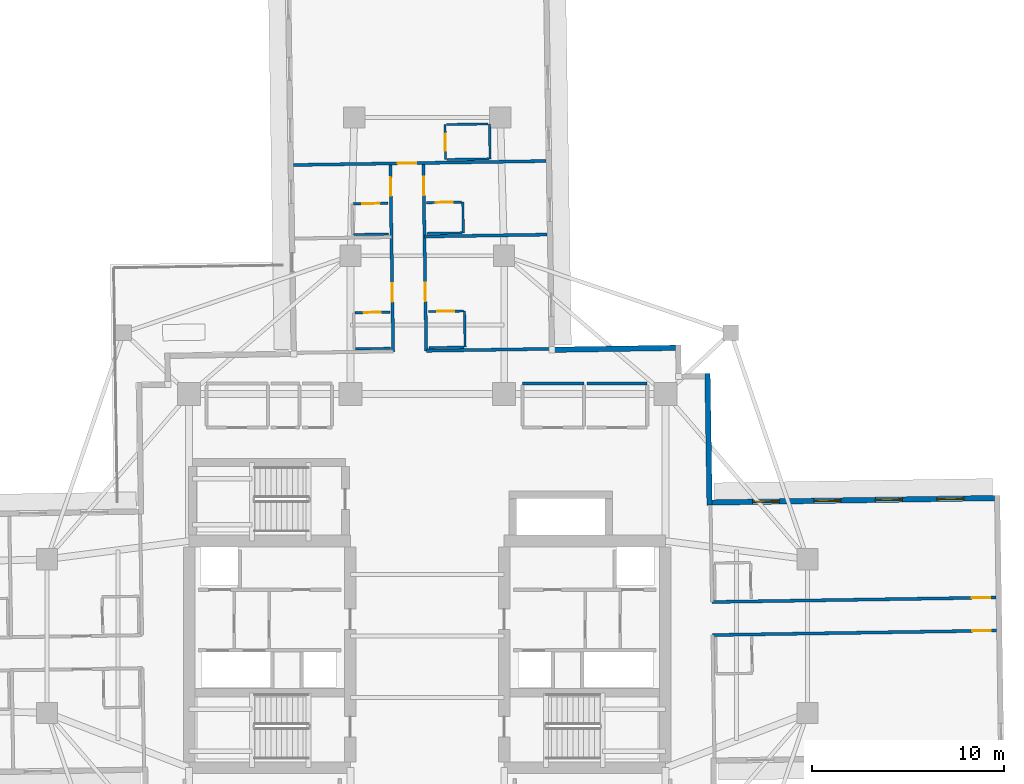
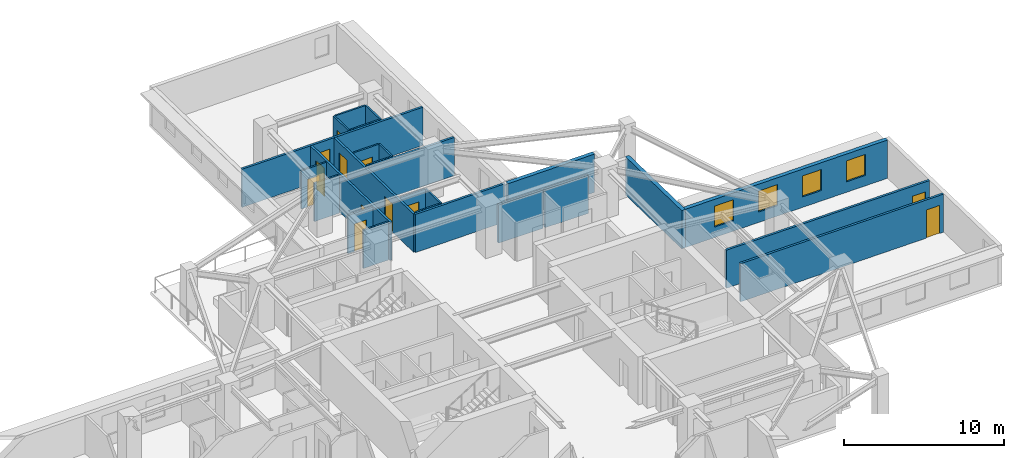
# One storey, part 7 of 13: 26 walls, 12 doors, 4 windows, 16 openings.
"""IFC4 building model written with IfcOpenShell, lengths in metres."""

from ifc_helpers import new_model, si_unit, direction, frame, frame_2d, origin, place, context, subcontext, project, spatial, rectangle, extrude, material, layer, layer_set, type_object, element, fill, save


model = new_model("IFC4")

# Units and contexts
model_context = context("Model", 3, precision=1e-05, world=origin(), true_north=direction((0.0, 1.0)))
body_context = subcontext(model_context, "Body", "Model", "MODEL_VIEW")
ifc_project = project(units=[si_unit("LENGTHUNIT", "METRE"), si_unit("AREAUNIT", "SQUARE_METRE"), si_unit("VOLUMEUNIT", "CUBIC_METRE"), si_unit("PLANEANGLEUNIT", "RADIAN"), si_unit("MASSUNIT", "GRAM", prefix="KILO")], contexts=[model_context])

# Site, building, storey
site_placement = place(None, origin())
site = spatial("IfcSite", under=ifc_project, at=site_placement, CompositionType="ELEMENT")
building_placement = place(site_placement, origin())
building = spatial("IfcBuilding", under=site, at=building_placement, Name="Qingluan Cross Belvedere", CompositionType="ELEMENT")
storey_placement = place(building_placement, frame((0.0, 0.0, 139.800048828125)))
storey = spatial("IfcBuildingStorey", under=building, at=storey_placement, Name="L35", CompositionType="ELEMENT", Elevation=139.800048828125)

# Walls
ifc_material_1 = material(Name="Gypsum plasterboard on steel stud acoustic partition", Category="steel")
ifc_layer_1 = layer(ifc_material_1, 0.159912109375, Name="CorridorPartition_160")
ifc_layer_set_1 = layer_set([ifc_layer_1], Name="Gypsum plasterboard on steel stud acoustic partition")
wall_type_1 = type_object("IfcWallType", Name="CorridorPartition_160", PredefinedType="PARTITIONING", material=ifc_layer_set_1)
wall_1_placement = place(storey_placement, frame((4.949951171875, 13.14990234375, 0.0), z_axis=(0.0, 0.0, 1.0), x_axis=(1.0, 0.0, 0.0)))
element("IfcWall", 1, at=wall_1_placement, inside=storey, type_object=wall_type_1, Name="Partition L35:q_ne1:N", PredefinedType="PARTITIONING", context=body_context, shape_type="SweptSolid", body=[
    extrude(rectangle(XDim=3.199951171875, YDim=0.159912109375, at=frame_2d((1.60009765625, 0.0))), origin(), (0.0, 0.0, 1.0), 2.909912109375),
])
wall_2_placement = place(storey_placement, frame((8.31005859375, 13.14990234375, 0.0), z_axis=(0.0, 0.0, 1.0), x_axis=(1.0, 0.0, 0.0)))
element("IfcWall", 2, at=wall_2_placement, inside=storey, type_object=wall_type_1, Name="Partition L35:q_ne2:N", PredefinedType="PARTITIONING", context=body_context, shape_type="SweptSolid", body=[
    extrude(rectangle(XDim=3.139892578125, YDim=0.159912109375, at=frame_2d((1.56982421875, 0.0))), origin(), (0.0, 0.0, 1.0), 2.909912109375),
])

# Wall, opening, door
wall_3_placement = place(storey_placement, frame((14.823974609375, 1.773193359375, 0.0), z_axis=(0.0, 0.0, 1.0), x_axis=(0.999876642421, 0.015706684621, 0.0)))
wall_3 = element("IfcWall", 3, at=wall_3_placement, inside=storey, type_object=wall_type_1, Name="Partition L35:E:c0", PredefinedType="PARTITIONING", context=body_context, shape_type="SweptSolid", body=[
    extrude(rectangle(XDim=14.781982421875, YDim=0.159912109375, at=frame_2d((7.39111328125, 0.0))), origin(), (0.0, 0.0, 1.0), 2.909912109375),
])
opening_1_placement = place(wall_3_placement, frame((13.530029296875, 0.0, 0.0)))
opening_1 = element("IfcOpeningElement", 4, at=opening_1_placement, cuts=wall_3, Name="Opening GD-10", PredefinedType="OPENING", context=body_context, shape_type="SweptSolid", body=[
    extrude(rectangle(XDim=0.9599609375, YDim=2.14990234375, at=frame_2d((0.47998046875, 1.074951171875))), frame((0.0, 0.08984375, 0.0), z_axis=(0.0, -1.0, 0.0), x_axis=(1.0, 0.0, 0.0)), (0.0, 0.0, 1.0), 0.179931640625),
])
ifc_material_2 = material(Name="Timber oak fire-rated acoustic guestroom door", Category="wood")
door_type_1 = type_object("IfcDoorType", Name="GuestEntryDoor_FD60", OperationType="NOTDEFINED", PredefinedType="DOOR", material=ifc_material_2)
door_1_placement = place(opening_1_placement, origin())
door_1 = element("IfcDoor", 5, at=door_1_placement, inside=storey, type_object=door_type_1, Name="Guest entry fire door 3501", OperationType="SINGLE_SWING_RIGHT", OverallHeight=2.14990234375, OverallWidth=0.9599609375, PredefinedType="DOOR", context=body_context, shape_type="SweptSolid", body=[
    extrude(rectangle(XDim=0.9599609375, YDim=2.14990234375, at=frame_2d((0.47998046875, 1.074951171875))), frame((0.0, 0.02490234375, 0.0), z_axis=(0.0, -1.0, 0.0), x_axis=(1.0, 0.0, 0.0)), (0.0, 0.0, 1.0), 0.050048828125),
])
fill(opening_1, door_1)

wall_4_placement = place(storey_placement, frame((14.85107421875, 0.05322265625, 0.0), z_axis=(0.0, 0.0, 1.0), x_axis=(0.999876638346, 0.015706944004, 0.0)))
wall_4 = element("IfcWall", 6, at=wall_4_placement, inside=storey, type_object=wall_type_1, Name="Partition L35:E:c1", PredefinedType="PARTITIONING", context=body_context, shape_type="SweptSolid", body=[
    extrude(rectangle(XDim=14.78173828125, YDim=0.159912109375, at=frame_2d((7.390869140625, 0.0))), origin(), (0.0, 0.0, 1.0), 2.909912109375),
])
opening_2_placement = place(wall_4_placement, frame((13.530029296875, 0.0, 0.0)))
opening_2 = element("IfcOpeningElement", 7, at=opening_2_placement, cuts=wall_4, Name="Opening GD-10", PredefinedType="OPENING", context=body_context, shape_type="SweptSolid", body=[
    extrude(rectangle(XDim=0.9599609375, YDim=2.14990234375, at=frame_2d((0.47998046875, 1.074951171875))), frame((0.0, 0.08984375, 0.0), z_axis=(0.0, -1.0, 0.0), x_axis=(1.0, 0.0, 0.0)), (0.0, 0.0, 1.0), 0.179931640625),
])
door_2_placement = place(opening_2_placement, origin())
door_2 = element("IfcDoor", 8, at=door_2_placement, inside=storey, type_object=door_type_1, Name="Guest entry fire door 3502", OperationType="SINGLE_SWING_RIGHT", OverallHeight=2.14990234375, OverallWidth=0.9599609375, PredefinedType="DOOR", context=body_context, shape_type="SweptSolid", body=[
    extrude(rectangle(XDim=0.9599609375, YDim=2.14990234375, at=frame_2d((0.47998046875, 1.074951171875))), frame((0.0, 0.02490234375, 0.0), z_axis=(0.0, -1.0, 0.0), x_axis=(1.0, 0.0, 0.0)), (0.0, 0.0, 1.0), 0.050048828125),
])
fill(opening_2, door_2)

# Wall, openings, doors
wall_5_placement = place(storey_placement, frame((-0.05322265625, 14.85107421875, 0.0), z_axis=(0.0, 0.0, 1.0), x_axis=(-0.015705659641, 0.999876658521, 0.0)))
wall_5 = element("IfcWall", 9, at=wall_5_placement, inside=storey, type_object=wall_type_1, Name="Partition L35:N:c0", PredefinedType="PARTITIONING", context=body_context, shape_type="SweptSolid", body=[
    extrude(rectangle(XDim=9.699951171875, YDim=0.159912109375, at=frame_2d((4.85009765625, 0.0))), origin(), (0.0, 0.0, 1.0), 2.909912109375),
])
opening_3_placement = place(wall_5_placement, frame((2.574951171875, 0.0, 0.0)))
opening_3 = element("IfcOpeningElement", 10, at=opening_3_placement, cuts=wall_5, Name="Opening GD-10", PredefinedType="OPENING", context=body_context, shape_type="SweptSolid", body=[
    extrude(rectangle(XDim=0.9599609375, YDim=2.14990234375, at=frame_2d((0.47998046875, 1.074951171875))), frame((0.0, 0.08984375, 0.0), z_axis=(0.0, -1.0, 0.0), x_axis=(1.0, 0.0, 0.0)), (0.0, 0.0, 1.0), 0.179931640625),
])
opening_4_placement = place(wall_5_placement, frame((8.096923828125, 0.0, 0.0)))
opening_4 = element("IfcOpeningElement", 11, at=opening_4_placement, cuts=wall_5, Name="Opening GD-10", PredefinedType="OPENING", context=body_context, shape_type="SweptSolid", body=[
    extrude(rectangle(XDim=0.9599609375, YDim=2.14990234375, at=frame_2d((0.47998046875, 1.074951171875))), frame((0.0, 0.08984375, 0.0), z_axis=(0.0, -1.0, 0.0), x_axis=(1.0, 0.0, 0.0)), (0.0, 0.0, 1.0), 0.179931640625),
])
door_3_placement = place(opening_3_placement, origin())
door_3 = element("IfcDoor", 12, at=door_3_placement, inside=storey, type_object=door_type_1, Name="Guest entry fire door 3509", OperationType="SINGLE_SWING_RIGHT", OverallHeight=2.14990234375, OverallWidth=0.9599609375, PredefinedType="DOOR", context=body_context, shape_type="SweptSolid", body=[
    extrude(rectangle(XDim=0.9599609375, YDim=2.14990234375, at=frame_2d((0.47998046875, 1.074951171875))), frame((0.0, 0.02490234375, 0.0), z_axis=(0.0, -1.0, 0.0), x_axis=(1.0, 0.0, 0.0)), (0.0, 0.0, 1.0), 0.050048828125),
])
fill(opening_3, door_3)
door_4_placement = place(opening_4_placement, origin())
door_4 = element("IfcDoor", 13, at=door_4_placement, inside=storey, type_object=door_type_1, Name="Guest entry fire door 3510", OperationType="SINGLE_SWING_RIGHT", OverallHeight=2.14990234375, OverallWidth=0.9599609375, PredefinedType="DOOR", context=body_context, shape_type="SweptSolid", body=[
    extrude(rectangle(XDim=0.9599609375, YDim=2.14990234375, at=frame_2d((0.47998046875, 1.074951171875))), frame((0.0, 0.02490234375, 0.0), z_axis=(0.0, -1.0, 0.0), x_axis=(1.0, 0.0, 0.0)), (0.0, 0.0, 1.0), 0.050048828125),
])
fill(opening_4, door_4)

# Walls
wall_6_placement = place(storey_placement, frame((-0.05322265625, 14.85107421875, 0.0), z_axis=(0.0, 0.0, 1.0), x_axis=(0.999877075733, 0.015679076008, 0.0)))
element("IfcWall", 14, at=wall_6_placement, inside=storey, type_object=wall_type_1, Name="Partition L35:N:s0", PredefinedType="PARTITIONING", context=body_context, shape_type="SweptSolid", body=[
    extrude(rectangle(XDim=6.539794921875, YDim=0.159912109375, at=frame_2d((3.27001953125, 0.0))), origin(), (0.0, 0.0, 1.0), 2.909912109375),
])
wall_7_placement = place(storey_placement, frame((-0.146728515625, 20.80029296875, 0.0), z_axis=(0.0, 0.0, 1.0), x_axis=(0.999876774542, 0.015698271615, 0.0)))
element("IfcWall", 15, at=wall_7_placement, inside=storey, type_object=wall_type_1, Name="Partition L35:N:d0_0", PredefinedType="PARTITIONING", context=body_context, shape_type="SweptSolid", body=[
    extrude(rectangle(XDim=6.391845703125, YDim=0.159912109375, at=frame_2d((3.19580078125, 0.0))), origin(), (0.0, 0.0, 1.0), 2.909912109375),
])

# Wall, openings, doors
wall_8_placement = place(storey_placement, frame((-1.773193359375, 14.823974609375, 0.0), z_axis=(0.0, 0.0, 1.0), x_axis=(-0.015680496509, 0.999877053457, 0.0)))
wall_8 = element("IfcWall", 16, at=wall_8_placement, inside=storey, type_object=wall_type_1, Name="Partition L35:N:c1", PredefinedType="PARTITIONING", context=body_context, shape_type="SweptSolid", body=[
    extrude(rectangle(XDim=9.699951171875, YDim=0.159912109375, at=frame_2d((4.85009765625, 0.0))), origin(), (0.0, 0.0, 1.0), 2.909912109375),
])
opening_5_placement = place(wall_8_placement, frame((2.574951171875, 0.0, 0.0)))
opening_5 = element("IfcOpeningElement", 17, at=opening_5_placement, cuts=wall_8, Name="Opening GD-10", PredefinedType="OPENING", context=body_context, shape_type="SweptSolid", body=[
    extrude(rectangle(XDim=0.9599609375, YDim=2.14990234375, at=frame_2d((0.47998046875, 1.074951171875))), frame((0.0, 0.08984375, 0.0), z_axis=(0.0, -1.0, 0.0), x_axis=(1.0, 0.0, 0.0)), (0.0, 0.0, 1.0), 0.179931640625),
])
opening_6_placement = place(wall_8_placement, frame((8.096923828125, 0.0, 0.0)))
opening_6 = element("IfcOpeningElement", 18, at=opening_6_placement, cuts=wall_8, Name="Opening GD-10", PredefinedType="OPENING", context=body_context, shape_type="SweptSolid", body=[
    extrude(rectangle(XDim=0.9599609375, YDim=2.14990234375, at=frame_2d((0.47998046875, 1.074951171875))), frame((0.0, 0.08984375, 0.0), z_axis=(0.0, -1.0, 0.0), x_axis=(1.0, 0.0, 0.0)), (0.0, 0.0, 1.0), 0.179931640625),
])
door_5_placement = place(opening_5_placement, origin())
door_5 = element("IfcDoor", 19, at=door_5_placement, inside=storey, type_object=door_type_1, Name="Guest entry fire door 3511", OperationType="SINGLE_SWING_RIGHT", OverallHeight=2.14990234375, OverallWidth=0.9599609375, PredefinedType="DOOR", context=body_context, shape_type="SweptSolid", body=[
    extrude(rectangle(XDim=0.9599609375, YDim=2.14990234375, at=frame_2d((0.47998046875, 1.074951171875))), frame((0.0, 0.02490234375, 0.0), z_axis=(0.0, -1.0, 0.0), x_axis=(1.0, 0.0, 0.0)), (0.0, 0.0, 1.0), 0.050048828125),
])
fill(opening_5, door_5)
door_6_placement = place(opening_6_placement, origin())
door_6 = element("IfcDoor", 20, at=door_6_placement, inside=storey, type_object=door_type_1, Name="Guest entry fire door 3512", OperationType="SINGLE_SWING_RIGHT", OverallHeight=2.14990234375, OverallWidth=0.9599609375, PredefinedType="DOOR", context=body_context, shape_type="SweptSolid", body=[
    extrude(rectangle(XDim=0.9599609375, YDim=2.14990234375, at=frame_2d((0.47998046875, 1.074951171875))), frame((0.0, 0.02490234375, 0.0), z_axis=(0.0, -1.0, 0.0), x_axis=(1.0, 0.0, 0.0)), (0.0, 0.0, 1.0), 0.050048828125),
])
fill(opening_6, door_6)

# Wall, opening, door
wall_9_placement = place(storey_placement, frame((-6.9580078125, 24.523681640625, 0.0), z_axis=(0.0, 0.0, 1.0), x_axis=(0.999876528878, 0.015713911007, 0.0)))
wall_9 = element("IfcWall", 21, at=wall_9_placement, inside=storey, type_object=wall_type_1, Name="Partition L35:Ncap:in", PredefinedType="PARTITIONING", context=body_context, shape_type="SweptSolid", body=[
    extrude(rectangle(XDim=13.14404296875, YDim=0.159912109375, at=frame_2d((6.572021484375, 0.0))), origin(), (0.0, 0.0, 1.0), 2.909912109375),
])
opening_7_placement = place(wall_9_placement, frame((5.412109375, 0.0, 0.0)))
opening_7 = element("IfcOpeningElement", 22, at=opening_7_placement, cuts=wall_9, Name="Opening GD-10", PredefinedType="OPENING", context=body_context, shape_type="SweptSolid", body=[
    extrude(rectangle(XDim=0.9599609375, YDim=2.14990234375, at=frame_2d((0.47998046875, 1.074951171875))), frame((0.0, 0.08984375, 0.0), z_axis=(0.0, -1.0, 0.0), x_axis=(1.0, 0.0, 0.0)), (0.0, 0.0, 1.0), 0.179931640625),
])
door_7_placement = place(opening_7_placement, origin())
door_7 = element("IfcDoor", 23, at=door_7_placement, inside=storey, type_object=door_type_1, Name="Presidential suite entrance door L35N", OperationType="SINGLE_SWING_LEFT", OverallHeight=2.14990234375, OverallWidth=0.9599609375, PredefinedType="DOOR", context=body_context, shape_type="SweptSolid", body=[
    extrude(rectangle(XDim=0.9599609375, YDim=2.14990234375, at=frame_2d((0.47998046875, 1.074951171875))), frame((0.0, 0.02490234375, 0.0), z_axis=(0.0, -1.0, 0.0), x_axis=(1.0, 0.0, 0.0)), (0.0, 0.0, 1.0), 0.050048828125),
])
fill(opening_7, door_7)

ifc_material_3 = material(Name="Moisture-resistant gypsum board lining")
ifc_layer_2 = layer(ifc_material_3, 0.1201171875, Name="EnsuiteWetPartition_120")
ifc_layer_set_2 = layer_set([ifc_layer_2], Name="Moisture-resistant gypsum board lining")
wall_type_2 = type_object("IfcWallType", Name="EnsuiteWetPartition_120", PredefinedType="PARTITIONING", material=ifc_layer_set_2)
wall_10_placement = place(storey_placement, frame((0.0546875, 16.892822265625, 0.0), z_axis=(0.0, 0.0, 1.0), x_axis=(0.999876836305, 0.015694337248, 0.0)))
wall_10 = element("IfcWall", 24, at=wall_10_placement, inside=storey, type_object=wall_type_2, Name="Partition L35:N:bs0_0", PredefinedType="PARTITIONING", context=body_context, shape_type="SweptSolid", body=[
    extrude(rectangle(XDim=1.820068359375, YDim=0.1201171875, at=frame_2d((0.91015625, 0.0))), origin(), (0.0, 0.0, 1.0), 2.909912109375),
])
opening_8_placement = place(wall_10_placement, frame((0.469970703125, 0.0, 0.0)))
opening_8 = element("IfcOpeningElement", 25, at=opening_8_placement, cuts=wall_10, Name="Opening BD-09", PredefinedType="OPENING", context=body_context, shape_type="SweptSolid", body=[
    extrude(rectangle(XDim=0.8798828125, YDim=2.10009765625, at=frame_2d((0.43994140625, 1.050048828125))), frame((0.0, 0.070068359375, 0.0), z_axis=(0.0, -1.0, 0.0), x_axis=(1.0, 0.0, 0.0)), (0.0, 0.0, 1.0), 0.14013671875),
])
ifc_material_4 = material(Name="Moisture-sealed timber en-suite door", Category="wood")
door_type_2 = type_object("IfcDoorType", Name="BathroomDoor_880", OperationType="NOTDEFINED", PredefinedType="DOOR", material=ifc_material_4)
door_8_placement = place(opening_8_placement, origin())
door_8 = element("IfcDoor", 26, at=door_8_placement, inside=storey, type_object=door_type_2, Name="Bathroom door 3509", OperationType="SINGLE_SWING_LEFT", OverallHeight=2.10009765625, OverallWidth=0.8798828125, PredefinedType="DOOR", context=body_context, shape_type="SweptSolid", body=[
    extrude(rectangle(XDim=0.8798828125, YDim=2.10009765625, at=frame_2d((0.43994140625, 1.050048828125))), frame((0.0, 0.02490234375, 0.0), z_axis=(0.0, -1.0, 0.0), x_axis=(1.0, 0.0, 0.0)), (0.0, 0.0, 1.0), 0.050048828125),
])
fill(opening_8, door_8)

# Walls
wall_11_placement = place(storey_placement, frame((0.084228515625, 15.01318359375, 0.0), z_axis=(0.0, 0.0, 1.0), x_axis=(0.999876836305, 0.015694337248, 0.0)))
element("IfcWall", 27, at=wall_11_placement, inside=storey, type_object=wall_type_2, Name="Partition L35:N:bw0_0", PredefinedType="PARTITIONING", context=body_context, shape_type="SweptSolid", body=[
    extrude(rectangle(XDim=1.820068359375, YDim=0.1201171875, at=frame_2d((0.91015625, 0.0))), origin(), (0.0, 0.0, 1.0), 2.909912109375),
])
wall_12_placement = place(storey_placement, frame((1.968994140625, 15.042724609375, 0.0), z_axis=(0.0, 0.0, 1.0), x_axis=(-0.01571234584, 0.999876553475, 0.0)))
element("IfcWall", 28, at=wall_12_placement, inside=storey, type_object=wall_type_2, Name="Partition L35:N:bn0_0", PredefinedType="PARTITIONING", context=body_context, shape_type="SweptSolid", body=[
    extrude(rectangle(XDim=1.880126953125, YDim=0.1201171875, at=frame_2d((0.93994140625, 0.0))), origin(), (0.0, 0.0, 1.0), 2.909912109375),
])

# Wall, opening, door
wall_13_placement = place(storey_placement, frame((-0.034423828125, 22.562255859375, 0.0), z_axis=(0.0, 0.0, 1.0), x_axis=(0.999876836305, 0.015694337248, 0.0)))
wall_13 = element("IfcWall", 29, at=wall_13_placement, inside=storey, type_object=wall_type_2, Name="Partition L35:N:bs0_1", PredefinedType="PARTITIONING", context=body_context, shape_type="SweptSolid", body=[
    extrude(rectangle(XDim=1.820068359375, YDim=0.1201171875, at=frame_2d((0.91015625, 0.0))), origin(), (0.0, 0.0, 1.0), 2.909912109375),
])
opening_9_placement = place(wall_13_placement, frame((0.469970703125, 0.0, 0.0)))
opening_9 = element("IfcOpeningElement", 30, at=opening_9_placement, cuts=wall_13, Name="Opening BD-09", PredefinedType="OPENING", context=body_context, shape_type="SweptSolid", body=[
    extrude(rectangle(XDim=0.8798828125, YDim=2.10009765625, at=frame_2d((0.43994140625, 1.050048828125))), frame((0.0, 0.070068359375, 0.0), z_axis=(0.0, -1.0, 0.0), x_axis=(1.0, 0.0, 0.0)), (0.0, 0.0, 1.0), 0.14013671875),
])
door_9_placement = place(opening_9_placement, origin())
door_9 = element("IfcDoor", 31, at=door_9_placement, inside=storey, type_object=door_type_2, Name="Bathroom door 3510", OperationType="SINGLE_SWING_LEFT", OverallHeight=2.10009765625, OverallWidth=0.8798828125, PredefinedType="DOOR", context=body_context, shape_type="SweptSolid", body=[
    extrude(rectangle(XDim=0.8798828125, YDim=2.10009765625, at=frame_2d((0.43994140625, 1.050048828125))), frame((0.0, 0.02490234375, 0.0), z_axis=(0.0, -1.0, 0.0), x_axis=(1.0, 0.0, 0.0)), (0.0, 0.0, 1.0), 0.050048828125),
])
fill(opening_9, door_9)

# Walls
wall_14_placement = place(storey_placement, frame((-0.00927734375, 20.96240234375, 0.0), z_axis=(0.0, 0.0, 1.0), x_axis=(0.999876836305, 0.015694337248, 0.0)))
element("IfcWall", 32, at=wall_14_placement, inside=storey, type_object=wall_type_2, Name="Partition L35:N:bw0_1", PredefinedType="PARTITIONING", context=body_context, shape_type="SweptSolid", body=[
    extrude(rectangle(XDim=1.820068359375, YDim=0.1201171875, at=frame_2d((0.91015625, 0.0))), origin(), (0.0, 0.0, 1.0), 2.909912109375),
])
wall_15_placement = place(storey_placement, frame((1.87548828125, 20.991943359375, 0.0), z_axis=(0.0, 0.0, 1.0), x_axis=(-0.015716050513, 0.999876495251, 0.0)))
element("IfcWall", 33, at=wall_15_placement, inside=storey, type_object=wall_type_2, Name="Partition L35:N:bn0_1", PredefinedType="PARTITIONING", context=body_context, shape_type="SweptSolid", body=[
    extrude(rectangle(XDim=1.60009765625, YDim=0.1201171875, at=frame_2d((0.800048828125, 0.0))), origin(), (0.0, 0.0, 1.0), 2.909912109375),
])

# Wall, opening, door
wall_16_placement = place(storey_placement, frame((-3.764892578125, 16.8330078125, 0.0), z_axis=(0.0, 0.0, 1.0), x_axis=(0.999876836305, 0.015694337248, 0.0)))
wall_16 = element("IfcWall", 34, at=wall_16_placement, inside=storey, type_object=wall_type_2, Name="Partition L35:N:bs1_0", PredefinedType="PARTITIONING", context=body_context, shape_type="SweptSolid", body=[
    extrude(rectangle(XDim=1.820068359375, YDim=0.1201171875, at=frame_2d((0.91015625, 0.0))), origin(), (0.0, 0.0, 1.0), 2.909912109375),
])
opening_10_placement = place(wall_16_placement, frame((0.469970703125, 0.0, 0.0)))
opening_10 = element("IfcOpeningElement", 35, at=opening_10_placement, cuts=wall_16, Name="Opening BD-09", PredefinedType="OPENING", context=body_context, shape_type="SweptSolid", body=[
    extrude(rectangle(XDim=0.8798828125, YDim=2.10009765625, at=frame_2d((0.43994140625, 1.050048828125))), frame((0.0, 0.070068359375, 0.0), z_axis=(0.0, -1.0, 0.0), x_axis=(1.0, 0.0, 0.0)), (0.0, 0.0, 1.0), 0.14013671875),
])
door_10_placement = place(opening_10_placement, origin())
door_10 = element("IfcDoor", 36, at=door_10_placement, inside=storey, type_object=door_type_2, Name="Bathroom door 3511", OperationType="SINGLE_SWING_LEFT", OverallHeight=2.10009765625, OverallWidth=0.8798828125, PredefinedType="DOOR", context=body_context, shape_type="SweptSolid", body=[
    extrude(rectangle(XDim=0.8798828125, YDim=2.10009765625, at=frame_2d((0.43994140625, 1.050048828125))), frame((0.0, 0.02490234375, 0.0), z_axis=(0.0, -1.0, 0.0), x_axis=(1.0, 0.0, 0.0)), (0.0, 0.0, 1.0), 0.050048828125),
])
fill(opening_10, door_10)

# Wall
wall_17_placement = place(storey_placement, frame((-3.7353515625, 14.953125, 0.0), z_axis=(0.0, 0.0, 1.0), x_axis=(0.999876836305, 0.015694337248, 0.0)))
element("IfcWall", 37, at=wall_17_placement, inside=storey, type_object=wall_type_2, Name="Partition L35:N:bw1_0", PredefinedType="PARTITIONING", context=body_context, shape_type="SweptSolid", body=[
    extrude(rectangle(XDim=1.820068359375, YDim=0.1201171875, at=frame_2d((0.91015625, 0.0))), origin(), (0.0, 0.0, 1.0), 2.909912109375),
])

# Wall, opening, door
wall_18_placement = place(storey_placement, frame((-3.85400390625, 22.502197265625, 0.0), z_axis=(0.0, 0.0, 1.0), x_axis=(0.999876836305, 0.015694337248, 0.0)))
wall_18 = element("IfcWall", 38, at=wall_18_placement, inside=storey, type_object=wall_type_2, Name="Partition L35:N:bs1_1", PredefinedType="PARTITIONING", context=body_context, shape_type="SweptSolid", body=[
    extrude(rectangle(XDim=1.820068359375, YDim=0.1201171875, at=frame_2d((0.91015625, 0.0))), origin(), (0.0, 0.0, 1.0), 2.909912109375),
])
opening_11_placement = place(wall_18_placement, frame((0.469970703125, 0.0, 0.0)))
opening_11 = element("IfcOpeningElement", 39, at=opening_11_placement, cuts=wall_18, Name="Opening BD-09", PredefinedType="OPENING", context=body_context, shape_type="SweptSolid", body=[
    extrude(rectangle(XDim=0.8798828125, YDim=2.10009765625, at=frame_2d((0.43994140625, 1.050048828125))), frame((0.0, 0.070068359375, 0.0), z_axis=(0.0, -1.0, 0.0), x_axis=(1.0, 0.0, 0.0)), (0.0, 0.0, 1.0), 0.14013671875),
])
door_11_placement = place(opening_11_placement, origin())
door_11 = element("IfcDoor", 40, at=door_11_placement, inside=storey, type_object=door_type_2, Name="Bathroom door 3512", OperationType="SINGLE_SWING_LEFT", OverallHeight=2.10009765625, OverallWidth=0.8798828125, PredefinedType="DOOR", context=body_context, shape_type="SweptSolid", body=[
    extrude(rectangle(XDim=0.8798828125, YDim=2.10009765625, at=frame_2d((0.43994140625, 1.050048828125))), frame((0.0, 0.02490234375, 0.0), z_axis=(0.0, -1.0, 0.0), x_axis=(1.0, 0.0, 0.0)), (0.0, 0.0, 1.0), 0.050048828125),
])
fill(opening_11, door_11)

# Wall
wall_19_placement = place(storey_placement, frame((-3.828857421875, 20.90234375, 0.0), z_axis=(0.0, 0.0, 1.0), x_axis=(0.999876836305, 0.015694337248, 0.0)))
element("IfcWall", 41, at=wall_19_placement, inside=storey, type_object=wall_type_2, Name="Partition L35:N:bw1_1", PredefinedType="PARTITIONING", context=body_context, shape_type="SweptSolid", body=[
    extrude(rectangle(XDim=1.820068359375, YDim=0.1201171875, at=frame_2d((0.91015625, 0.0))), origin(), (0.0, 0.0, 1.0), 2.909912109375),
])

# Wall, opening, door
wall_20_placement = place(storey_placement, frame((0.950439453125, 24.80810546875, 0.0), z_axis=(0.0, 0.0, 1.0), x_axis=(-0.015696442504, 0.999876803258, 0.0)))
wall_20 = element("IfcWall", 42, at=wall_20_placement, inside=storey, type_object=wall_type_2, Name="Partition L35:Ncap:bs", PredefinedType="PARTITIONING", context=body_context, shape_type="SweptSolid", body=[
    extrude(rectangle(XDim=1.81982421875, YDim=0.1201171875, at=frame_2d((0.909912109375, 0.0))), origin(), (0.0, 0.0, 1.0), 2.909912109375),
])
opening_12_placement = place(wall_20_placement, frame((0.449951171875, 0.0, 0.0)))
opening_12 = element("IfcOpeningElement", 43, at=opening_12_placement, cuts=wall_20, Name="Opening BD-09", PredefinedType="OPENING", context=body_context, shape_type="SweptSolid", body=[
    extrude(rectangle(XDim=0.8798828125, YDim=2.10009765625, at=frame_2d((0.43994140625, 1.050048828125))), frame((0.0, 0.070068359375, 0.0), z_axis=(0.0, -1.0, 0.0), x_axis=(1.0, 0.0, 0.0)), (0.0, 0.0, 1.0), 0.14013671875),
])
door_12_placement = place(opening_12_placement, origin())
door_12 = element("IfcDoor", 44, at=door_12_placement, inside=storey, type_object=door_type_2, Name="En-suite bathroom door L35N", OperationType="SINGLE_SWING_RIGHT", OverallHeight=2.10009765625, OverallWidth=0.8798828125, PredefinedType="DOOR", context=body_context, shape_type="SweptSolid", body=[
    extrude(rectangle(XDim=0.8798828125, YDim=2.10009765625, at=frame_2d((0.43994140625, 1.050048828125))), frame((0.0, 0.02490234375, 0.0), z_axis=(0.0, -1.0, 0.0), x_axis=(1.0, 0.0, 0.0)), (0.0, 0.0, 1.0), 0.050048828125),
])
fill(opening_12, door_12)

# Walls
wall_21_placement = place(storey_placement, frame((3.270263671875, 24.844482421875, 0.0), z_axis=(0.0, 0.0, 1.0), x_axis=(-0.015694337248, 0.999876836305, 0.0)))
element("IfcWall", 45, at=wall_21_placement, inside=storey, type_object=wall_type_2, Name="Partition L35:Ncap:bb", PredefinedType="PARTITIONING", context=body_context, shape_type="SweptSolid", body=[
    extrude(rectangle(XDim=1.820068359375, YDim=0.1201171875, at=frame_2d((0.91015625, 0.0))), origin(), (0.0, 0.0, 1.0), 2.909912109375),
])
for number, where, z_axis, x_axis, name in (
    (46, (1.0205078125, 24.80908203125, 0.0), (0.0, 0.0, 1.0), (0.999877075733, 0.015679076008, 0.0), "Partition L35:Ncap:ba"),
    (47, (0.991943359375, 26.62890625, 0.0), (0.0, 0.0, 1.0), (0.999877075733, 0.015679076008, 0.0), "Partition L35:Ncap:bn"),
):
    element("IfcWall", number, at=place(storey_placement, frame(where, z_axis=z_axis, x_axis=x_axis)), inside=storey, type_object=wall_type_2, Name=name, PredefinedType="PARTITIONING", context=body_context, shape_type="SweptSolid", body=[
        extrude(rectangle(XDim=2.179931640625, YDim=0.1201171875, at=frame_2d((1.08984375, 0.0))), origin(), (0.0, 0.0, 1.0), 2.909912109375),
    ])

# Wall, openings, windows
ifc_material_5 = material(Name="Precast concrete C45", Category="concrete")
ifc_layer_3 = layer(ifc_material_5, 0.280029296875, Name="PrecastFacadeWall_280")
ifc_layer_set_3 = layer_set([ifc_layer_3], Name="Precast concrete C45")
wall_type_3 = type_object("IfcWallType", Name="PrecastFacadeWall_280", PredefinedType="STANDARD", material=ifc_layer_set_3)
wall_22_placement = place(storey_placement, frame((29.53076171875, 7.184814453125, 0.0), z_axis=(0.0, 0.0, 1.0), x_axis=(-0.999876569875, -0.015711302158, 0.0)))
wall_22 = element("IfcWall", 48, at=wall_22_placement, inside=storey, type_object=wall_type_3, Name="Facade wall L35-EB", PredefinedType="STANDARD", context=body_context, shape_type="SweptSolid", body=[
    extrude(rectangle(XDim=14.699951171875, YDim=0.280029296875, at=frame_2d((7.35009765625, 0.0))), origin(), (0.0, 0.0, 1.0), 2.919921875),
])
opening_13_placement = place(wall_22_placement, frame((1.60009765625, 0.0, 0.800048828125)))
opening_13 = element("IfcOpeningElement", 49, at=opening_13_placement, cuts=wall_22, Name="Opening W-01", PredefinedType="OPENING", context=body_context, shape_type="SweptSolid", body=[
    extrude(rectangle(XDim=1.39990234375, YDim=1.60009765625, at=frame_2d((0.699951171875, 0.800048828125))), frame((0.0, 0.14990234375, 0.0), z_axis=(0.0, -1.0, 0.0), x_axis=(1.0, 0.0, 0.0)), (0.0, 0.0, 1.0), 0.300048828125),
])
opening_14_placement = place(wall_22_placement, frame((4.800048828125, 0.0, 0.800048828125)))
opening_14 = element("IfcOpeningElement", 50, at=opening_14_placement, cuts=wall_22, Name="Opening W-01", PredefinedType="OPENING", context=body_context, shape_type="SweptSolid", body=[
    extrude(rectangle(XDim=1.39990234375, YDim=1.60009765625, at=frame_2d((0.699951171875, 0.800048828125))), frame((0.0, 0.14990234375, 0.0), z_axis=(0.0, -1.0, 0.0), x_axis=(1.0, 0.0, 0.0)), (0.0, 0.0, 1.0), 0.300048828125),
])
opening_15_placement = place(wall_22_placement, frame((8.0, 0.0, 0.800048828125)))
opening_15 = element("IfcOpeningElement", 51, at=opening_15_placement, cuts=wall_22, Name="Opening W-01", PredefinedType="OPENING", context=body_context, shape_type="SweptSolid", body=[
    extrude(rectangle(XDim=1.39990234375, YDim=1.60009765625, at=frame_2d((0.699951171875, 0.800048828125))), frame((0.0, 0.14990234375, 0.0), z_axis=(0.0, -1.0, 0.0), x_axis=(1.0, 0.0, 0.0)), (0.0, 0.0, 1.0), 0.300048828125),
])
opening_16_placement = place(wall_22_placement, frame((11.199951171875, 0.0, 0.800048828125)))
opening_16 = element("IfcOpeningElement", 52, at=opening_16_placement, cuts=wall_22, Name="Opening W-01", PredefinedType="OPENING", context=body_context, shape_type="SweptSolid", body=[
    extrude(rectangle(XDim=1.39990234375, YDim=1.60009765625, at=frame_2d((0.699951171875, 0.800048828125))), frame((0.0, 0.14990234375, 0.0), z_axis=(0.0, -1.0, 0.0), x_axis=(1.0, 0.0, 0.0)), (0.0, 0.0, 1.0), 0.300048828125),
])
ifc_material_6 = material(Name="Thermally broken triple Low-E glass in aluminium frame", Category="aluminium")
window_type = type_object("IfcWindowType", Name="TriRibbonWin_1400x1600", PartitioningType="SINGLE_PANEL", PredefinedType="WINDOW", material=ifc_material_6)
window_1_placement = place(opening_13_placement, origin())
window_1 = element("IfcWindow", 53, at=window_1_placement, inside=storey, type_object=window_type, Name="Ribbon window L35-EB-1", OverallHeight=1.60009765625, OverallWidth=1.39990234375, PartitioningType="SINGLE_PANEL", PredefinedType="WINDOW", context=body_context, shape_type="SweptSolid", body=[
    extrude(rectangle(XDim=1.39990234375, YDim=1.60009765625, at=frame_2d((0.699951171875, 0.800048828125))), frame((0.0, 0.030029296875, 0.0), z_axis=(0.0, -1.0, 0.0), x_axis=(1.0, 0.0, 0.0)), (0.0, 0.0, 1.0), 0.06005859375),
])
fill(opening_13, window_1)
window_2_placement = place(opening_14_placement, origin())
window_2 = element("IfcWindow", 54, at=window_2_placement, inside=storey, type_object=window_type, Name="Ribbon window L35-EB-2", OverallHeight=1.60009765625, OverallWidth=1.39990234375, PartitioningType="SINGLE_PANEL", PredefinedType="WINDOW", context=body_context, shape_type="SweptSolid", body=[
    extrude(rectangle(XDim=1.39990234375, YDim=1.60009765625, at=frame_2d((0.699951171875, 0.800048828125))), frame((0.0, 0.030029296875, 0.0), z_axis=(0.0, -1.0, 0.0), x_axis=(1.0, 0.0, 0.0)), (0.0, 0.0, 1.0), 0.06005859375),
])
fill(opening_14, window_2)
window_3_placement = place(opening_15_placement, origin())
window_3 = element("IfcWindow", 55, at=window_3_placement, inside=storey, type_object=window_type, Name="Ribbon window L35-EB-3", OverallHeight=1.60009765625, OverallWidth=1.39990234375, PartitioningType="SINGLE_PANEL", PredefinedType="WINDOW", context=body_context, shape_type="SweptSolid", body=[
    extrude(rectangle(XDim=1.39990234375, YDim=1.60009765625, at=frame_2d((0.699951171875, 0.800048828125))), frame((0.0, 0.030029296875, 0.0), z_axis=(0.0, -1.0, 0.0), x_axis=(1.0, 0.0, 0.0)), (0.0, 0.0, 1.0), 0.06005859375),
])
fill(opening_15, window_3)
window_4_placement = place(opening_16_placement, origin())
window_4 = element("IfcWindow", 56, at=window_4_placement, inside=storey, type_object=window_type, Name="Ribbon window L35-EB-4", OverallHeight=1.60009765625, OverallWidth=1.39990234375, PartitioningType="SINGLE_PANEL", PredefinedType="WINDOW", context=body_context, shape_type="SweptSolid", body=[
    extrude(rectangle(XDim=1.39990234375, YDim=1.60009765625, at=frame_2d((0.699951171875, 0.800048828125))), frame((0.0, 0.030029296875, 0.0), z_axis=(0.0, -1.0, 0.0), x_axis=(1.0, 0.0, 0.0)), (0.0, 0.0, 1.0), 0.06005859375),
])
fill(opening_16, window_4)

# Walls
wall_23_placement = place(storey_placement, frame((14.69482421875, 6.811767578125, 0.0), z_axis=(0.0, 0.0, 1.0), x_axis=(-0.015694809807, 0.999876828887, 0.0)))
element("IfcWall", 57, at=wall_23_placement, inside=storey, type_object=wall_type_3, Name="Corner wall L35-NE1", PredefinedType="STANDARD", context=body_context, shape_type="SweptSolid", body=[
    extrude(rectangle(XDim=6.85986328125, YDim=0.280029296875, at=frame_2d((3.429931640625, 0.0))), origin(), (0.0, 0.0, 1.0), 2.919921875),
])
wall_24_placement = place(storey_placement, frame((12.92578125, 15.0048828125, 0.0), z_axis=(0.0, 0.0, 1.0), x_axis=(-0.999876823822, -0.015695132501, 0.0)))
element("IfcWall", 58, at=wall_24_placement, inside=storey, type_object=wall_type_3, Name="Corner wall L35-NE4", PredefinedType="STANDARD", context=body_context, shape_type="SweptSolid", body=[
    extrude(rectangle(XDim=6.2998046875, YDim=0.280029296875, at=frame_2d((3.14990234375, 0.0))), origin(), (0.0, 0.0, 1.0), 2.919921875),
])

save(model, "model.ifc")
